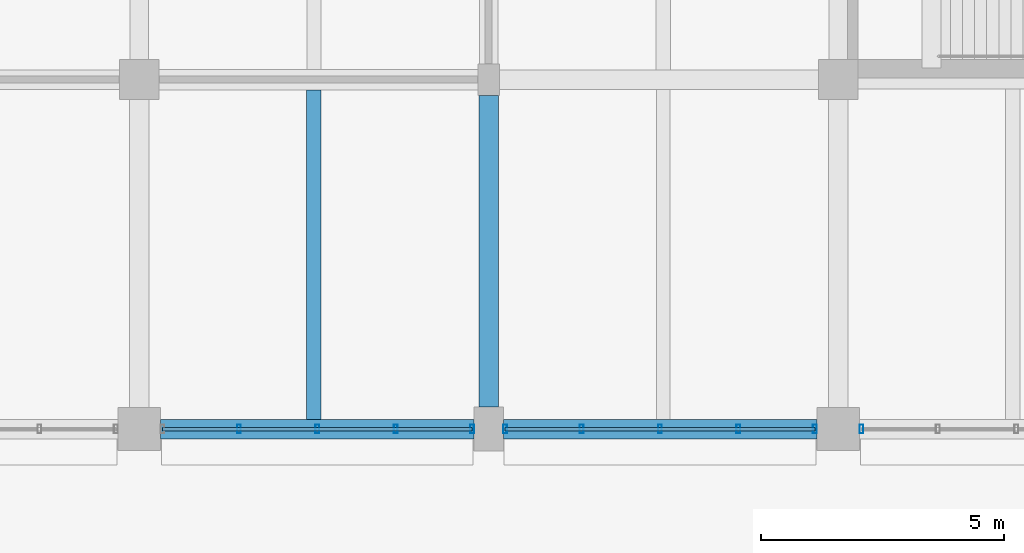
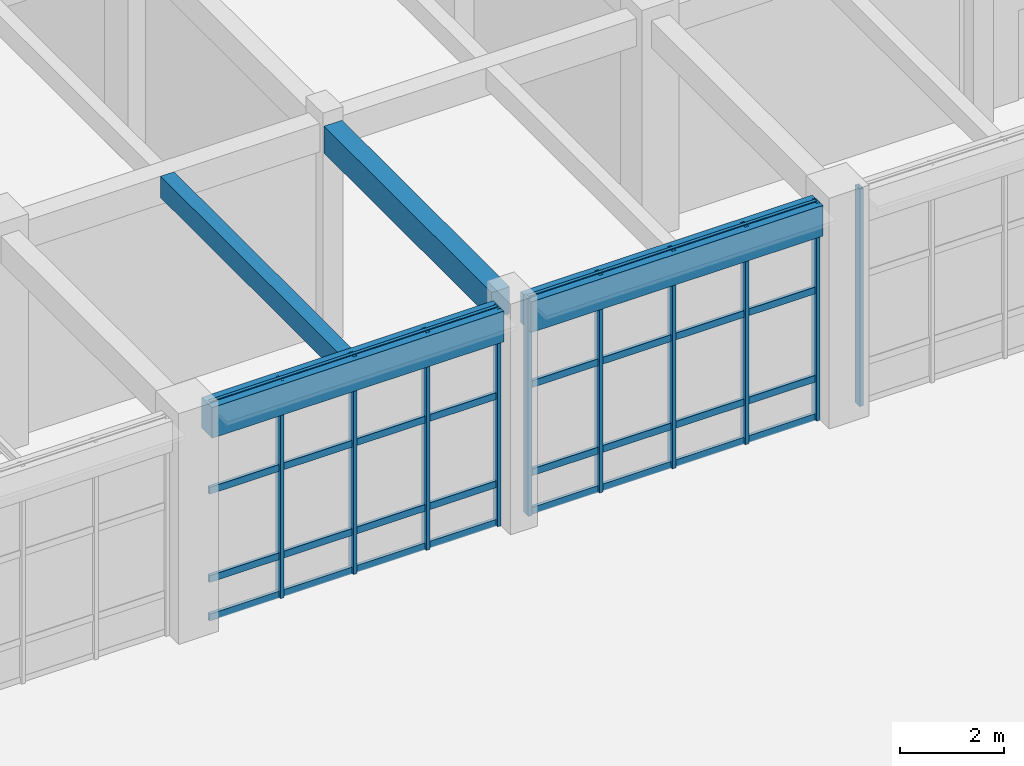
# One storey, part 62 of 160: 18 members, 4 beams, 3 elements without a shape of their own.
"""IFC4 building model written with IfcOpenShell, lengths in metres."""

from ifc_helpers import new_model, si_unit, direction, frame, origin, origin_2d, place, context, subcontext, project, spatial, rectangle, hollow_rectangle, extrude, material, material_profile, profile_set, type_object, element, aggregate, save


model = new_model("IFC4")

# Units and contexts
model_context = context("Model", 3, precision=1e-05, world=origin(), true_north=direction((0.0, 1.0)))
body_context = subcontext(model_context, "Body", "Model", "MODEL_VIEW")
ifc_project = project(units=[si_unit("LENGTHUNIT", "METRE"), si_unit("AREAUNIT", "SQUARE_METRE"), si_unit("VOLUMEUNIT", "CUBIC_METRE"), si_unit("PLANEANGLEUNIT", "RADIAN"), si_unit("MASSUNIT", "GRAM", prefix="KILO")], contexts=[model_context])

# Site, building, storey
site_placement = place(None, origin())
site = spatial("IfcSite", under=ifc_project, at=site_placement, CompositionType="ELEMENT")
building_placement = place(site_placement, origin())
building = spatial("IfcBuilding", under=site, at=building_placement, Name="Thalmaran Polytechnic", CompositionType="ELEMENT")
storey_placement = place(building_placement, origin())
storey = spatial("IfcBuildingStorey", under=building, at=storey_placement, Name="L00", CompositionType="ELEMENT", Elevation=0.0)

# Beams
ifc_material_1 = material(Name="Concrete C40/50", Category="concrete")
ifc_material_profile_1 = material_profile(ifc_material_1, rectangle(XDim=0.39990234375, YDim=0.6298828125, at=origin_2d()), Name="RC 400x630")
ifc_profile_set_1 = profile_set([ifc_material_profile_1], Name="Concrete C40/50")
beam_type_1 = type_object("IfcBeamType", Name="BM-RC07", PredefinedType="BEAM", material=ifc_profile_set_1)
beam_1_placement = place(storey_placement, frame((50.39990234375, 94.050048828125, 4.77490234375), z_axis=(0.0, 1.0, 0.0), x_axis=(-1.0, 0.0, 0.0)))
element("IfcBeam", 1, at=beam_1_placement, inside=storey, type_object=beam_type_1, Name="Grid Beam B07 L00 Y(7,13)", PredefinedType="BEAM", context=body_context, shape_type="SweptSolid", body=[
    extrude(rectangle(XDim=0.39990234375, YDim=0.6298828125, at=origin_2d()), origin(), (0.0, 0.0, 1.0), 6.425048828125),
])
ifc_material_profile_2 = material_profile(ifc_material_1, rectangle(XDim=0.300048828125, YDim=0.5, at=origin_2d()), Name="RC 300x500")
ifc_profile_set_2 = profile_set([ifc_material_profile_2], Name="Concrete C40/50")
beam_type_2 = type_object("IfcBeamType", Name="BM-RC11", PredefinedType="JOIST", material=ifc_profile_set_2)
beam_2_placement = place(storey_placement, frame((46.800048828125, 93.800048828125, 4.840087890625), z_axis=(0.0, 1.0, 0.0), x_axis=(-1.0, 0.0, 0.0)))
element("IfcBeam", 2, at=beam_2_placement, inside=storey, type_object=beam_type_2, Name="Secondary Floor Rib RB01 L00 (6,13)", PredefinedType="JOIST", context=body_context, shape_type="SweptSolid", body=[
    extrude(rectangle(XDim=0.300048828125, YDim=0.5, at=origin_2d()), origin(), (0.0, 0.0, 1.0), 6.7900390625),
])
ifc_material_profile_3 = material_profile(ifc_material_1, rectangle(XDim=0.39990234375, YDim=0.719970703125, at=origin_2d()), Name="RC 400x720")
ifc_profile_set_3 = profile_set([ifc_material_profile_3], Name="Concrete C40/50")
beam_type_3 = type_object("IfcBeamType", Name="BM-SP01", PredefinedType="SPANDREL", material=ifc_profile_set_3)
beam_3_placement = place(storey_placement, frame((43.639892578125, 93.60009765625, 4.72998046875), z_axis=(1.0, 0.0, 0.0), x_axis=(0.0, 1.0, 0.0)))
element("IfcBeam", 3, at=beam_3_placement, inside=storey, type_object=beam_type_3, Name="Grid Beam SP01 L00 X(6,13)", PredefinedType="SPANDREL", context=body_context, shape_type="SweptSolid", body=[
    extrude(rectangle(XDim=0.39990234375, YDim=0.719970703125, at=origin_2d()), origin(), (0.0, 0.0, 1.0), 6.460205078125),
])
beam_4_placement = place(storey_placement, frame((50.699951171875, 93.60009765625, 4.72998046875), z_axis=(1.0, 0.0, 0.0), x_axis=(0.0, 1.0, 0.0)))
element("IfcBeam", 4, at=beam_4_placement, inside=storey, type_object=beam_type_3, Name="Grid Beam SP01 L00 X(7,13)", PredefinedType="SPANDREL", context=body_context, shape_type="SweptSolid", body=[
    extrude(rectangle(XDim=0.39990234375, YDim=0.719970703125, at=origin_2d()), origin(), (0.0, 0.0, 1.0), 6.4599609375),
])

# Curtain wall, member
ifc_material_2 = material(Name="Aluminium 6063-T6", Category="aluminium")
curtain_wall_type = type_object("IfcCurtainWallType", Name="CW-UC01", PredefinedType="USERDEFINED", material=ifc_material_2)
curtain_wall_1_placement = place(storey_placement, origin())
curtain_wall_1 = element("IfcCurtainWall", 5, at=curtain_wall_1_placement, inside=storey, type_object=curtain_wall_type, Name="Curtain Wall CW-L00-017", ObjectType="UNITISED CURTAIN WALL", PredefinedType="USERDEFINED")
ifc_material_profile_4 = material_profile(ifc_material_2, hollow_rectangle(XDim=0.080078125, YDim=0.179931640625, WallThickness=0.0048828125, at=origin_2d()), Name="RHS 180x80x5.0")
ifc_profile_set_4 = profile_set([ifc_material_profile_4], Name="Aluminium 6063-T6")
member_type_1 = type_object("IfcMemberType", Name="CW-MUL1", PredefinedType="MULLION", material=ifc_profile_set_4)
member_1_placement = place(storey_placement, frame((58.080078125, 93.60009765625, 0.0), z_axis=(0.0, 0.0, 1.0), x_axis=(1.0, 0.0, 0.0)))
member_1 = element("IfcMember", 6, at=member_1_placement, type_object=member_type_1, Name="CW-L00-017 Mullion 5", PredefinedType="MULLION", context=body_context, shape_type="SweptSolid", body=[
    extrude(hollow_rectangle(XDim=0.080078125, YDim=0.179931640625, WallThickness=0.0048828125, at=origin_2d()), origin(), (0.0, 0.0, 1.0), 5.090087890625),
])
aggregate(curtain_wall_1, [member_1])

# Curtain wall, members
curtain_wall_2_placement = place(storey_placement, origin())
curtain_wall_2 = element("IfcCurtainWall", 7, at=curtain_wall_2_placement, inside=storey, type_object=curtain_wall_type, Name="Curtain Wall CW-L00-018", ObjectType="UNITISED CURTAIN WALL", PredefinedType="USERDEFINED")
member_2_placement = place(storey_placement, frame((57.1201171875, 93.60009765625, 0.0), z_axis=(0.0, 0.0, 1.0), x_axis=(1.0, 0.0, 0.0)))
member_2 = element("IfcMember", 8, at=member_2_placement, type_object=member_type_1, Name="CW-L00-018 Mullion 1", PredefinedType="MULLION", context=body_context, shape_type="SweptSolid", body=[
    extrude(hollow_rectangle(XDim=0.080078125, YDim=0.179931640625, WallThickness=0.0048828125, at=origin_2d()), origin(), (0.0, 0.0, 1.0), 5.090087890625),
])
member_3_placement = place(storey_placement, frame((55.544921875, 93.60009765625, 0.0), z_axis=(0.0, 0.0, 1.0), x_axis=(1.0, 0.0, 0.0)))
member_3 = element("IfcMember", 9, at=member_3_placement, type_object=member_type_1, Name="CW-L00-018 Mullion 2", PredefinedType="MULLION", context=body_context, shape_type="SweptSolid", body=[
    extrude(hollow_rectangle(XDim=0.080078125, YDim=0.179931640625, WallThickness=0.0048828125, at=origin_2d()), origin(), (0.0, 0.0, 1.0), 5.090087890625),
])
member_4_placement = place(storey_placement, frame((53.929931640625, 93.60009765625, 0.0), z_axis=(0.0, 0.0, 1.0), x_axis=(1.0, 0.0, 0.0)))
member_4 = element("IfcMember", 10, at=member_4_placement, type_object=member_type_1, Name="CW-L00-018 Mullion 3", PredefinedType="MULLION", context=body_context, shape_type="SweptSolid", body=[
    extrude(hollow_rectangle(XDim=0.080078125, YDim=0.179931640625, WallThickness=0.0048828125, at=origin_2d()), origin(), (0.0, 0.0, 1.0), 5.090087890625),
])
member_5_placement = place(storey_placement, frame((52.31494140625, 93.60009765625, 0.0), z_axis=(0.0, 0.0, 1.0), x_axis=(1.0, 0.0, 0.0)))
member_5 = element("IfcMember", 11, at=member_5_placement, type_object=member_type_1, Name="CW-L00-018 Mullion 4", PredefinedType="MULLION", context=body_context, shape_type="SweptSolid", body=[
    extrude(hollow_rectangle(XDim=0.080078125, YDim=0.179931640625, WallThickness=0.0048828125, at=origin_2d()), origin(), (0.0, 0.0, 1.0), 5.090087890625),
])
member_6_placement = place(storey_placement, frame((50.739990234375, 93.60009765625, 0.0), z_axis=(0.0, 0.0, 1.0), x_axis=(1.0, 0.0, 0.0)))
member_6 = element("IfcMember", 12, at=member_6_placement, type_object=member_type_1, Name="CW-L00-018 Mullion 5", PredefinedType="MULLION", context=body_context, shape_type="SweptSolid", body=[
    extrude(hollow_rectangle(XDim=0.080078125, YDim=0.179931640625, WallThickness=0.0048828125, at=origin_2d()), origin(), (0.0, 0.0, 1.0), 5.090087890625),
])

curtain_wall_3_placement = place(storey_placement, origin())
curtain_wall_3 = element("IfcCurtainWall", 13, at=curtain_wall_3_placement, inside=storey, type_object=curtain_wall_type, Name="Curtain Wall CW-L00-019", ObjectType="UNITISED CURTAIN WALL", PredefinedType="USERDEFINED")
member_7_placement = place(storey_placement, frame((50.06005859375, 93.60009765625, 0.0), z_axis=(0.0, 0.0, 1.0), x_axis=(1.0, 0.0, 0.0)))
member_7 = element("IfcMember", 14, at=member_7_placement, type_object=member_type_1, Name="CW-L00-019 Mullion 1", PredefinedType="MULLION", context=body_context, shape_type="SweptSolid", body=[
    extrude(hollow_rectangle(XDim=0.080078125, YDim=0.179931640625, WallThickness=0.0048828125, at=origin_2d()), origin(), (0.0, 0.0, 1.0), 5.090087890625),
])
member_8_placement = place(storey_placement, frame((48.485107421875, 93.60009765625, 0.0), z_axis=(0.0, 0.0, 1.0), x_axis=(1.0, 0.0, 0.0)))
member_8 = element("IfcMember", 15, at=member_8_placement, type_object=member_type_1, Name="CW-L00-019 Mullion 2", PredefinedType="MULLION", context=body_context, shape_type="SweptSolid", body=[
    extrude(hollow_rectangle(XDim=0.080078125, YDim=0.179931640625, WallThickness=0.0048828125, at=origin_2d()), origin(), (0.0, 0.0, 1.0), 5.090087890625),
])
member_9_placement = place(storey_placement, frame((46.8701171875, 93.60009765625, 0.0), z_axis=(0.0, 0.0, 1.0), x_axis=(1.0, 0.0, 0.0)))
member_9 = element("IfcMember", 16, at=member_9_placement, type_object=member_type_1, Name="CW-L00-019 Mullion 3", PredefinedType="MULLION", context=body_context, shape_type="SweptSolid", body=[
    extrude(hollow_rectangle(XDim=0.080078125, YDim=0.179931640625, WallThickness=0.0048828125, at=origin_2d()), origin(), (0.0, 0.0, 1.0), 5.090087890625),
])
member_10_placement = place(storey_placement, frame((45.2548828125, 93.60009765625, 0.0), z_axis=(0.0, 0.0, 1.0), x_axis=(1.0, 0.0, 0.0)))
member_10 = element("IfcMember", 17, at=member_10_placement, type_object=member_type_1, Name="CW-L00-019 Mullion 4", PredefinedType="MULLION", context=body_context, shape_type="SweptSolid", body=[
    extrude(hollow_rectangle(XDim=0.080078125, YDim=0.179931640625, WallThickness=0.0048828125, at=origin_2d()), origin(), (0.0, 0.0, 1.0), 5.090087890625),
])

# Member
ifc_material_profile_5 = material_profile(ifc_material_2, hollow_rectangle(XDim=0.070068359375, YDim=0.159912109375, WallThickness=0.00390625, at=origin_2d()), Name="AL 160x70x4.0")
ifc_profile_set_5 = profile_set([ifc_material_profile_5], Name="Aluminium 6063-T6")
member_type_2 = type_object("IfcMemberType", Name="CW-TRN1", PredefinedType="USERDEFINED", material=ifc_profile_set_5)
member_11_placement = place(storey_placement, frame((57.1201171875, 93.60009765625, 0.06005859375), z_axis=(-1.0, 0.0, 0.0), x_axis=(0.0, -1.0, 0.0)))
member_11 = element("IfcMember", 18, at=member_11_placement, type_object=member_type_2, Name="CW-L00-018 Transom 1", ObjectType="TRANSOM", PredefinedType="USERDEFINED", context=body_context, shape_type="SweptSolid", body=[
    extrude(hollow_rectangle(XDim=0.070068359375, YDim=0.159912109375, WallThickness=0.00390625, at=origin_2d()), origin(), (0.0, 0.0, 1.0), 6.380126953125),
])

member_12_placement = place(storey_placement, frame((57.1201171875, 93.60009765625, 0.9599609375), z_axis=(-1.0, 0.0, 0.0), x_axis=(0.0, -1.0, 0.0)))
member_12 = element("IfcMember", 19, at=member_12_placement, type_object=member_type_2, Name="CW-L00-018 Transom 2", ObjectType="TRANSOM", PredefinedType="USERDEFINED", context=body_context, shape_type="SweptSolid", body=[
    extrude(hollow_rectangle(XDim=0.070068359375, YDim=0.159912109375, WallThickness=0.00390625, at=origin_2d()), origin(), (0.0, 0.0, 1.0), 6.380126953125),
])

member_13_placement = place(storey_placement, frame((57.1201171875, 93.60009765625, 3.02490234375), z_axis=(-1.0, 0.0, 0.0), x_axis=(0.0, -1.0, 0.0)))
member_13 = element("IfcMember", 20, at=member_13_placement, type_object=member_type_2, Name="CW-L00-018 Transom 3", ObjectType="TRANSOM", PredefinedType="USERDEFINED", context=body_context, shape_type="SweptSolid", body=[
    extrude(hollow_rectangle(XDim=0.070068359375, YDim=0.159912109375, WallThickness=0.00390625, at=origin_2d()), origin(), (0.0, 0.0, 1.0), 6.380126953125),
])

member_14_placement = place(storey_placement, frame((57.1201171875, 93.60009765625, 5.030029296875), z_axis=(-1.0, 0.0, 0.0), x_axis=(0.0, -1.0, 0.0)))
member_14 = element("IfcMember", 21, at=member_14_placement, type_object=member_type_2, Name="CW-L00-018 Transom 4", ObjectType="TRANSOM", PredefinedType="USERDEFINED", context=body_context, shape_type="SweptSolid", body=[
    extrude(hollow_rectangle(XDim=0.070068359375, YDim=0.159912109375, WallThickness=0.00390625, at=origin_2d()), origin(), (0.0, 0.0, 1.0), 6.380126953125),
])

aggregate(curtain_wall_2, [member_2, member_3, member_4, member_5, member_6, member_11, member_12, member_13, member_14])

member_15_placement = place(storey_placement, frame((50.06005859375, 93.60009765625, 0.06005859375), z_axis=(-1.0, 0.0, 0.0), x_axis=(0.0, -1.0, 0.0)))
member_15 = element("IfcMember", 22, at=member_15_placement, type_object=member_type_2, Name="CW-L00-019 Transom 1", ObjectType="TRANSOM", PredefinedType="USERDEFINED", context=body_context, shape_type="SweptSolid", body=[
    extrude(hollow_rectangle(XDim=0.070068359375, YDim=0.159912109375, WallThickness=0.00390625, at=origin_2d()), origin(), (0.0, 0.0, 1.0), 6.380126953125),
])

member_16_placement = place(storey_placement, frame((50.06005859375, 93.60009765625, 0.9599609375), z_axis=(-1.0, 0.0, 0.0), x_axis=(0.0, -1.0, 0.0)))
member_16 = element("IfcMember", 23, at=member_16_placement, type_object=member_type_2, Name="CW-L00-019 Transom 2", ObjectType="TRANSOM", PredefinedType="USERDEFINED", context=body_context, shape_type="SweptSolid", body=[
    extrude(hollow_rectangle(XDim=0.070068359375, YDim=0.159912109375, WallThickness=0.00390625, at=origin_2d()), origin(), (0.0, 0.0, 1.0), 6.380126953125),
])

member_17_placement = place(storey_placement, frame((50.06005859375, 93.60009765625, 3.02490234375), z_axis=(-1.0, 0.0, 0.0), x_axis=(0.0, -1.0, 0.0)))
member_17 = element("IfcMember", 24, at=member_17_placement, type_object=member_type_2, Name="CW-L00-019 Transom 3", ObjectType="TRANSOM", PredefinedType="USERDEFINED", context=body_context, shape_type="SweptSolid", body=[
    extrude(hollow_rectangle(XDim=0.070068359375, YDim=0.159912109375, WallThickness=0.00390625, at=origin_2d()), origin(), (0.0, 0.0, 1.0), 6.380126953125),
])

member_18_placement = place(storey_placement, frame((50.06005859375, 93.60009765625, 5.030029296875), z_axis=(-1.0, 0.0, 0.0), x_axis=(0.0, -1.0, 0.0)))
member_18 = element("IfcMember", 25, at=member_18_placement, type_object=member_type_2, Name="CW-L00-019 Transom 4", ObjectType="TRANSOM", PredefinedType="USERDEFINED", context=body_context, shape_type="SweptSolid", body=[
    extrude(hollow_rectangle(XDim=0.070068359375, YDim=0.159912109375, WallThickness=0.00390625, at=origin_2d()), origin(), (0.0, 0.0, 1.0), 6.380126953125),
])

aggregate(curtain_wall_3, [member_7, member_8, member_9, member_10, member_15, member_16, member_17, member_18])

save(model, "model.ifc")
